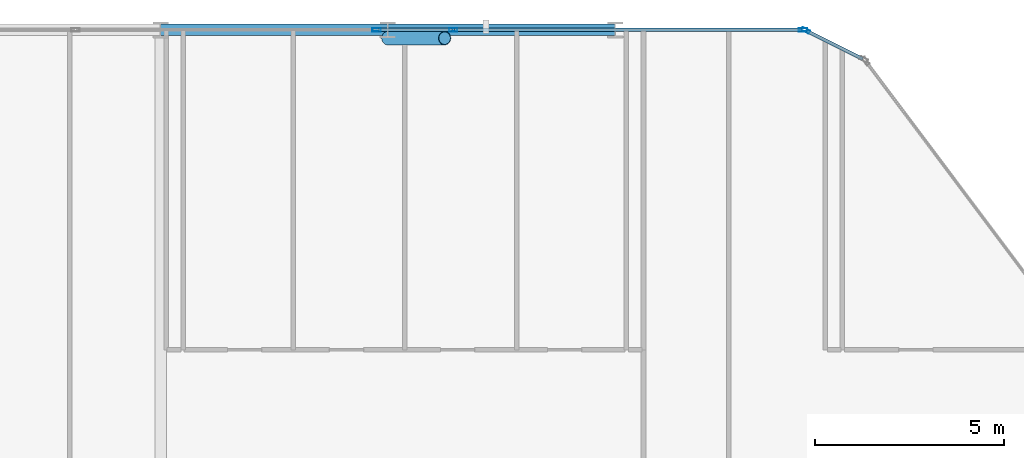
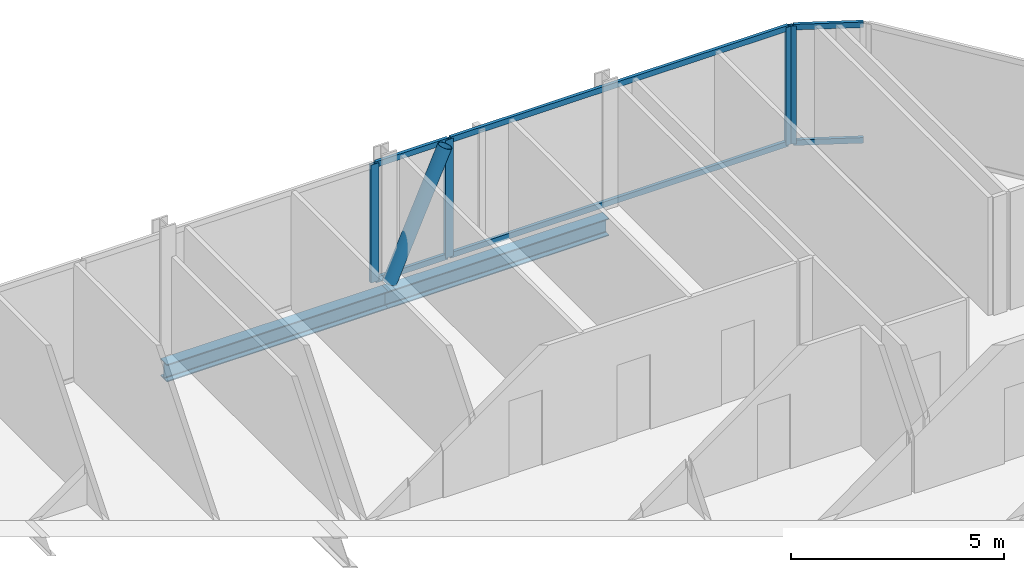
# One storey, part 16 of 35: 11 members, 2 beams, 4 elements without a shape of their own.
"""IFC4 building model written with IfcOpenShell, lengths in metres."""

from ifc_helpers import new_model, si_unit, direction, frame, origin, origin_2d, place, context, subcontext, project, spatial, hollow_rectangle, hollow_circle, i_section, extrude, material, layer, layer_set, material_profile, profile_set, type_object, element, aggregate, save


model = new_model("IFC4")

# Units and contexts
model_context = context("Model", 3, precision=1e-05, world=origin(), true_north=direction((0.0, 1.0)))
body_context = subcontext(model_context, "Body", "Model", "MODEL_VIEW")
ifc_project = project(units=[si_unit("LENGTHUNIT", "METRE"), si_unit("AREAUNIT", "SQUARE_METRE"), si_unit("VOLUMEUNIT", "CUBIC_METRE"), si_unit("PLANEANGLEUNIT", "RADIAN"), si_unit("MASSUNIT", "GRAM", prefix="KILO")], contexts=[model_context])

# Site, building, storey
site_placement = place(None, origin())
site = spatial("IfcSite", under=ifc_project, at=site_placement, CompositionType="ELEMENT")
building_placement = place(site_placement, origin())
building = spatial("IfcBuilding", under=site, at=building_placement, Name="Keshet Zoharim Tower", CompositionType="ELEMENT")
storey_placement = place(building_placement, frame((0.0, 0.0, 24.0)))
storey = spatial("IfcBuildingStorey", under=building, at=storey_placement, Name="L04", CompositionType="ELEMENT", Elevation=24.0)

# Beams
ifc_material_1 = material(Name="Steel S355", Category="steel")
ifc_material_profile_1 = material_profile(ifc_material_1, i_section(OverallWidth=0.300048828125, OverallDepth=0.5, WebThickness=0.014404296875, FlangeThickness=0.028076171875, FilletRadius=0.027099609375, at=origin_2d()), Name="HEB500")
ifc_profile_set_1 = profile_set([ifc_material_profile_1], Name="Steel S355")
beam_type = type_object("IfcBeamType", Name="BM-WEB-HB500", PredefinedType="BEAM", material=ifc_profile_set_1)
for number, where, z_axis, x_axis, name in (
    (1, (33.0, 53.89990234375, -0.56494140625), (1.0, 0.0, 0.0), (0.0, 1.0, 0.0), "L04 Primary Girder X-031"),
    (2, (39.0, 53.89990234375, -0.56494140625), (1.0, 0.0, 0.0), (0.0, 1.0, 0.0), "L04 Primary Girder X-032"),
):
    element("IfcBeam", number, at=place(storey_placement, frame(where, z_axis=z_axis, x_axis=x_axis)), inside=storey, type_object=beam_type, Name=name, PredefinedType="BEAM", context=body_context, shape_type="SweptSolid", body=[
        extrude(i_section(OverallWidth=0.300048828125, OverallDepth=0.5, WebThickness=0.014404296875, FlangeThickness=0.028076171875, FilletRadius=0.027099609375, at=origin_2d()), origin(), (0.0, 0.0, 1.0), 6.0),
    ])

# Curtain wall, member
ifc_material_2 = material(Name="Aluminium 6063-T6", Category="aluminium")
ifc_layer = layer(ifc_material_2, 0.169921875)
ifc_layer_set = layer_set([ifc_layer], Name="Aluminium 6063-T6")
curtain_wall_type = type_object("IfcCurtainWallType", Name="CW-SYS-02", PredefinedType="NOTDEFINED", material=ifc_layer_set)
curtain_wall_1_placement = place(storey_placement, origin())
curtain_wall_1 = element("IfcCurtainWall", 3, at=curtain_wall_1_placement, inside=storey, type_object=curtain_wall_type, Name="L04 Unitised Curtain Wall 07 Part 3", PredefinedType="NOTDEFINED")
ifc_material_profile_2 = material_profile(ifc_material_2, hollow_rectangle(XDim=0.090087890625, YDim=0.219970703125, WallThickness=0.0048828125, at=origin_2d()), Name="MUL-90x220")
ifc_profile_set_2 = profile_set([ifc_material_profile_2], Name="Aluminium 6063-T6")
member_type_1 = type_object("IfcMemberType", Name="CWM-M22", PredefinedType="MULLION", material=ifc_profile_set_2)
member_1_placement = place(storey_placement, frame((38.702392578125, 53.89990234375, 0.0), z_axis=(0.0, 0.0, 1.0), x_axis=(0.0, 1.0, 0.0)))
member_1 = element("IfcMember", 4, at=member_1_placement, type_object=member_type_1, Name="CW-02 mullion 3", PredefinedType="MULLION", context=body_context, shape_type="SweptSolid", body=[
    extrude(hollow_rectangle(XDim=0.090087890625, YDim=0.219970703125, WallThickness=0.0048828125, at=origin_2d()), origin(), (0.0, 0.0, 1.0), 3.385009765625),
])
aggregate(curtain_wall_1, [member_1])

curtain_wall_2_placement = place(storey_placement, origin())
curtain_wall_2 = element("IfcCurtainWall", 5, at=curtain_wall_2_placement, inside=storey, type_object=curtain_wall_type, Name="L04 Unitised Curtain Wall 07 Part 4", PredefinedType="NOTDEFINED")
member_2_placement = place(storey_placement, frame((40.7275390625, 53.89990234375, 0.0), z_axis=(0.0, 0.0, 1.0), x_axis=(0.0, 1.0, 0.0)))
member_2 = element("IfcMember", 6, at=member_2_placement, type_object=member_type_1, Name="CW-02 mullion 2", PredefinedType="MULLION", context=body_context, shape_type="SweptSolid", body=[
    extrude(hollow_rectangle(XDim=0.090087890625, YDim=0.219970703125, WallThickness=0.0048828125, at=origin_2d()), origin(), (0.0, 0.0, 1.0), 3.385009765625),
])

curtain_wall_3_placement = place(storey_placement, origin())
curtain_wall_3 = element("IfcCurtainWall", 7, at=curtain_wall_3_placement, inside=storey, type_object=curtain_wall_type, Name="L04 Unitised Curtain Wall 07 Part 5", PredefinedType="NOTDEFINED")
member_3_placement = place(storey_placement, frame((49.965087890625, 53.89990234375, 0.0), z_axis=(0.0, 0.0, 1.0), x_axis=(0.0, 1.0, 0.0)))
member_3 = element("IfcMember", 8, at=member_3_placement, type_object=member_type_1, Name="CW-02 mullion 2", PredefinedType="MULLION", context=body_context, shape_type="SweptSolid", body=[
    extrude(hollow_rectangle(XDim=0.090087890625, YDim=0.219970703125, WallThickness=0.0048828125, at=origin_2d()), origin(), (0.0, 0.0, 1.0), 3.385009765625),
])

curtain_wall_4_placement = place(storey_placement, origin())
curtain_wall_4 = element("IfcCurtainWall", 9, at=curtain_wall_4_placement, inside=storey, type_object=curtain_wall_type, Name="L04 Unitised Curtain Wall 08", PredefinedType="NOTDEFINED")
member_4_placement = place(storey_placement, frame((50.03125, 53.88427734375, 0.0), z_axis=(0.0, 0.0, 1.0), x_axis=(0.447213595499, 0.894427191001, 0.0)))
member_4 = element("IfcMember", 10, at=member_4_placement, type_object=member_type_1, Name="CW-02 mullion 1", PredefinedType="MULLION", context=body_context, shape_type="SweptSolid", body=[
    extrude(hollow_rectangle(XDim=0.090087890625, YDim=0.219970703125, WallThickness=0.0048828125, at=origin_2d()), origin(), (0.0, 0.0, 1.0), 3.385009765625),
])

# Member
ifc_material_profile_3 = material_profile(ifc_material_2, hollow_rectangle(XDim=0.0849609375, YDim=0.159912109375, WallThickness=0.00439453125, at=origin_2d()), Name="TRN-85x160")
ifc_profile_set_3 = profile_set([ifc_material_profile_3], Name="Aluminium 6063-T6")
member_type_2 = type_object("IfcMemberType", Name="CWT-T16", PredefinedType="USERDEFINED", material=ifc_profile_set_3)
member_5_placement = place(storey_placement, frame((38.7373046875, 53.89990234375, 0.034912109375), z_axis=(1.0, 0.0, 0.0), x_axis=(0.0, 1.0, 0.0)))
member_5 = element("IfcMember", 11, at=member_5_placement, type_object=member_type_2, Name="CW-02 transom 1.1", ObjectType="TRANSOM", PredefinedType="USERDEFINED", context=body_context, shape_type="SweptSolid", body=[
    extrude(hollow_rectangle(XDim=0.0849609375, YDim=0.159912109375, WallThickness=0.00439453125, at=origin_2d()), origin(), (0.0, 0.0, 1.0), 1.955322265625),
])

member_6_placement = place(storey_placement, frame((38.7373046875, 53.89990234375, 3.35009765625), z_axis=(1.0, 0.0, 0.0), x_axis=(0.0, 1.0, 0.0)))
member_6 = element("IfcMember", 12, at=member_6_placement, type_object=member_type_2, Name="CW-02 transom 1.2", ObjectType="TRANSOM", PredefinedType="USERDEFINED", context=body_context, shape_type="SweptSolid", body=[
    extrude(hollow_rectangle(XDim=0.0849609375, YDim=0.159912109375, WallThickness=0.00439453125, at=origin_2d()), origin(), (0.0, 0.0, 1.0), 1.955322265625),
])

aggregate(curtain_wall_2, [member_2, member_5, member_6])

member_7_placement = place(storey_placement, frame((40.7626953125, 53.89990234375, 0.034912109375), z_axis=(1.0, 0.0, 0.0), x_axis=(0.0, 1.0, 0.0)))
member_7 = element("IfcMember", 13, at=member_7_placement, type_object=member_type_2, Name="CW-02 transom 1.1", ObjectType="TRANSOM", PredefinedType="USERDEFINED", context=body_context, shape_type="SweptSolid", body=[
    extrude(hollow_rectangle(XDim=0.0849609375, YDim=0.159912109375, WallThickness=0.00439453125, at=origin_2d()), origin(), (0.0, 0.0, 1.0), 9.167236328125),
])

member_8_placement = place(storey_placement, frame((40.7626953125, 53.89990234375, 3.35009765625), z_axis=(1.0, 0.0, 0.0), x_axis=(0.0, 1.0, 0.0)))
member_8 = element("IfcMember", 14, at=member_8_placement, type_object=member_type_2, Name="CW-02 transom 1.2", ObjectType="TRANSOM", PredefinedType="USERDEFINED", context=body_context, shape_type="SweptSolid", body=[
    extrude(hollow_rectangle(XDim=0.0849609375, YDim=0.159912109375, WallThickness=0.00439453125, at=origin_2d()), origin(), (0.0, 0.0, 1.0), 9.167236328125),
])

aggregate(curtain_wall_3, [member_3, member_7, member_8])

member_9_placement = place(storey_placement, frame((50.0625, 53.86865234375, 0.034912109375), z_axis=(0.894456801911, -0.447154368775, 0.0), x_axis=(0.447154368775, 0.894456801911, 0.0)))
member_9 = element("IfcMember", 15, at=member_9_placement, type_object=member_type_2, Name="CW-02 transom 1.1", ObjectType="TRANSOM", PredefinedType="USERDEFINED", context=body_context, shape_type="SweptSolid", body=[
    extrude(hollow_rectangle(XDim=0.0849609375, YDim=0.159912109375, WallThickness=0.00439453125, at=origin_2d()), origin(), (0.0, 0.0, 1.0), 1.64892578125),
])

member_10_placement = place(storey_placement, frame((50.0625, 53.86865234375, 3.35009765625), z_axis=(0.894456801911, -0.447154368775, 0.0), x_axis=(0.447154368775, 0.894456801911, 0.0)))
member_10 = element("IfcMember", 16, at=member_10_placement, type_object=member_type_2, Name="CW-02 transom 1.2", ObjectType="TRANSOM", PredefinedType="USERDEFINED", context=body_context, shape_type="SweptSolid", body=[
    extrude(hollow_rectangle(XDim=0.0849609375, YDim=0.159912109375, WallThickness=0.00439453125, at=origin_2d()), origin(), (0.0, 0.0, 1.0), 1.64892578125),
])

aggregate(curtain_wall_4, [member_4, member_9, member_10])

ifc_material_profile_4 = material_profile(ifc_material_1, hollow_circle(Radius=0.177734375, WallThickness=0.012451171875, at=origin_2d()), Name="CHS355x12.5")
ifc_profile_set_4 = profile_set([ifc_material_profile_4], Name="Steel S355")
member_type_3 = type_object("IfcMemberType", Name="MB-BR-C355", PredefinedType="BRACE", material=ifc_profile_set_4)
member_11_placement = place(storey_placement, frame((39.0, 53.679931640625, 0.0), z_axis=(0.405134846829, 0.0, 0.91425694194), x_axis=(0.0, 1.0, 0.0)))
element("IfcMember", 17, at=member_11_placement, inside=storey, type_object=member_type_3, Name="L04 Perimeter Tube Brace 04", PredefinedType="BRACE", context=body_context, shape_type="SweptSolid", body=[
    extrude(hollow_circle(Radius=0.177734375, WallThickness=0.012451171875, at=origin_2d()), origin(), (0.0, 0.0, 1.0), 3.702392578125),
])

save(model, "model.ifc")
